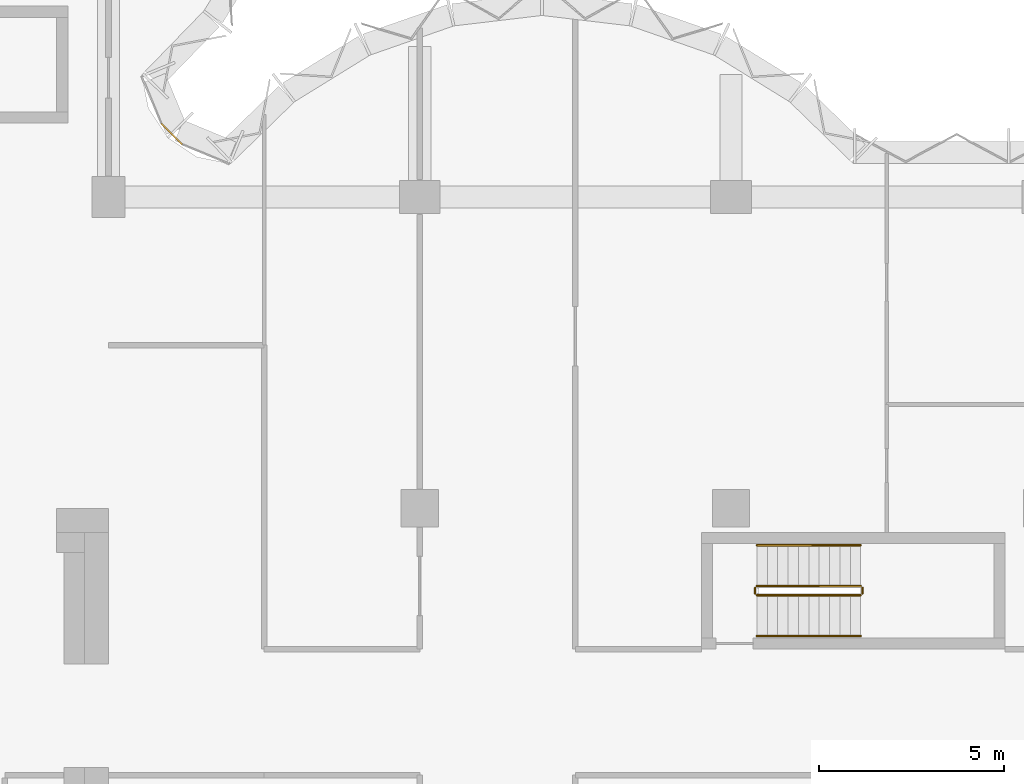
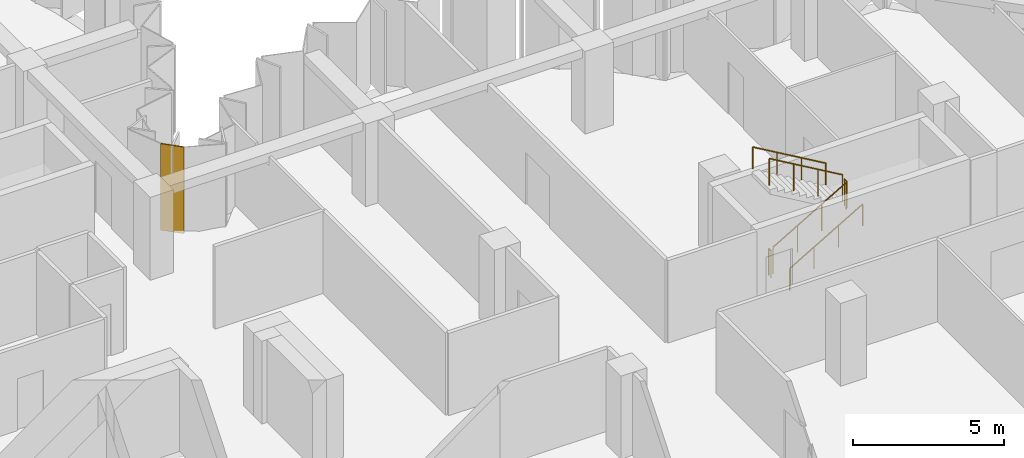
# One storey, part 10 of 10: 6 railings, 1 covering, 1 element without a shape of its own.
"""IFC4 building model written with IfcOpenShell, lengths in metres."""

from ifc_helpers import new_model, si_unit, direction, frame, origin, origin_2d, place, context, subcontext, project, spatial, polyline, circle, outline, extrude, material, layer, layer_set, type_object, element, aggregate, save


model = new_model("IFC4")

# Units and contexts
model_context = context("Model", 3, precision=1e-05, world=origin(), true_north=direction((0.0, 1.0)))
body_context = subcontext(model_context, "Body", "Model", "MODEL_VIEW")
ifc_project = project(units=[si_unit("LENGTHUNIT", "METRE"), si_unit("AREAUNIT", "SQUARE_METRE"), si_unit("VOLUMEUNIT", "CUBIC_METRE"), si_unit("PLANEANGLEUNIT", "RADIAN"), si_unit("MASSUNIT", "GRAM", prefix="KILO")], contexts=[model_context])

# Site, building, storey
site_placement = place(None, origin())
site = spatial("IfcSite", under=ifc_project, at=site_placement, CompositionType="ELEMENT")
building_placement = place(site_placement, origin())
building = spatial("IfcBuilding", under=site, at=building_placement, Name="Brevane Broadcast Tower", CompositionType="ELEMENT")
storey_placement = place(building_placement, frame((0.0, 0.0, 177.60009765625)))
storey = spatial("IfcBuildingStorey", under=building, at=storey_placement, Name="L44", CompositionType="ELEMENT", Elevation=177.60009765625)

# Railings
ifc_material_1 = material(Name="Steel S355", Category="steel")
railing_type_1 = type_object("IfcRailingType", Name="Exit stair guard", PredefinedType="GUARDRAIL", material=ifc_material_1)
railing_1_placement = place(storey_placement, frame((42.699951171875, 14.449951171875, 0.16357421875)))
element("IfcRailing", 1, at=railing_1_placement, inside=storey, type_object=railing_type_1, Name="L44 ST-4 stair guard 1", PredefinedType="GUARDRAIL", context=body_context, shape_type="SweptSolid", body=[
    extrude(circle(Radius=0.02392578125, at=origin_2d()), frame((0.0, 0.0, 1.076171875), z_axis=(0.863393664356, 0.0, 0.504530851732), x_axis=(0.0, 1.0, 0.0)), (0.0, 0.0, 1.0), 3.2431640625),
    extrude(circle(Radius=0.02099609375, at=origin_2d()), origin(), (0.0, 0.0, 1.0), 1.052001953125),
    extrude(circle(Radius=0.02099609375, at=origin_2d()), frame((0.933349609375, 0.0, 0.54541015625)), (0.0, 0.0, 1.0), 1.052001953125),
    extrude(circle(Radius=0.02099609375, at=origin_2d()), frame((1.86669921875, 0.0, 1.0908203125)), (0.0, 0.0, 1.0), 1.052001953125),
    extrude(circle(Radius=0.02099609375, at=origin_2d()), frame((2.800048828125, 0.0, 1.63623046875)), (0.0, 0.0, 1.0), 1.052001953125),
])
railing_2_placement = place(storey_placement, frame((45.550048828125, 14.5, 1.7998046875)))
element("IfcRailing", 2, at=railing_2_placement, inside=storey, type_object=railing_type_1, Name="L44 ST-4 stair guard 2", PredefinedType="GUARDRAIL", context=body_context, shape_type="SweptSolid", body=[
    extrude(circle(Radius=0.02392578125, at=origin_2d()), frame((0.0, 0.0, 1.076171875), z_axis=(0.0, 1.0, 0.0), x_axis=(-1.0, 0.0, 0.0)), (0.0, 0.0, 1.0), 0.14990234375),
    extrude(circle(Radius=0.02099609375, at=origin_2d()), origin(), (0.0, 0.0, 1.0), 1.052001953125),
    extrude(circle(Radius=0.02099609375, at=origin_2d()), frame((0.0, 0.14990234375, 0.0)), (0.0, 0.0, 1.0), 1.052001953125),
])
railing_3_placement = place(storey_placement, frame((45.5, 14.699951171875, 1.963623046875)))
element("IfcRailing", 3, at=railing_3_placement, inside=storey, type_object=railing_type_1, Name="L44 ST-4 stair guard 3", PredefinedType="GUARDRAIL", context=body_context, shape_type="SweptSolid", body=[
    extrude(circle(Radius=0.02392578125, at=origin_2d()), frame((0.0, 0.0, 1.076171875), z_axis=(-0.863393664356, 0.0, 0.504530851732), x_axis=(0.0, -1.0, 0.0)), (0.0, 0.0, 1.0), 3.2431640625),
    extrude(circle(Radius=0.02099609375, at=origin_2d()), origin(), (0.0, 0.0, 1.0), 1.052001953125),
    extrude(circle(Radius=0.02099609375, at=origin_2d()), frame((-0.933349609375, 0.0, 0.54541015625)), (0.0, 0.0, 1.0), 1.052001953125),
    extrude(circle(Radius=0.02099609375, at=origin_2d()), frame((-1.86669921875, 0.0, 1.0908203125)), (0.0, 0.0, 1.0), 1.052001953125),
    extrude(circle(Radius=0.02099609375, at=origin_2d()), frame((-2.800048828125, 0.0, 1.63623046875)), (0.0, 0.0, 1.0), 1.052001953125),
])
railing_4_placement = place(storey_placement, frame((42.64990234375, 14.5, 0.0)))
element("IfcRailing", 4, at=railing_4_placement, inside=storey, type_object=railing_type_1, Name="L44 ST-4 stair guard 4", PredefinedType="GUARDRAIL", context=body_context, shape_type="SweptSolid", body=[
    extrude(circle(Radius=0.02392578125, at=origin_2d()), frame((0.0, 0.0, 1.076171875), z_axis=(0.0, 1.0, 0.0), x_axis=(-1.0, 0.0, 0.0)), (0.0, 0.0, 1.0), 0.14990234375),
    extrude(circle(Radius=0.02099609375, at=origin_2d()), origin(), (0.0, 0.0, 1.0), 1.052001953125),
    extrude(circle(Radius=0.02099609375, at=origin_2d()), frame((0.0, 0.14990234375, 0.0)), (0.0, 0.0, 1.0), 1.052001953125),
])
railing_type_2 = type_object("IfcRailingType", Name="Exit stair handrail", PredefinedType="HANDRAIL", material=ifc_material_1)
railing_5_placement = place(storey_placement, frame((42.699951171875, 13.35009765625, 0.16357421875)))
element("IfcRailing", 5, at=railing_5_placement, inside=storey, type_object=railing_type_2, Name="L44 ST-4 stair handrail 1", PredefinedType="HANDRAIL", context=body_context, shape_type="SweptSolid", body=[
    extrude(circle(Radius=0.02392578125, at=origin_2d()), frame((0.0, 0.0, 0.8759765625), z_axis=(0.863393664356, 0.0, 0.504530851732), x_axis=(0.0, 1.0, 0.0)), (0.0, 0.0, 1.0), 3.2431640625),
    extrude(circle(Radius=0.02099609375, at=origin_2d()), origin(), (0.0, 0.0, 1.0), 0.851806640625),
    extrude(circle(Radius=0.02099609375, at=origin_2d()), frame((0.933349609375, 0.0, 0.54541015625)), (0.0, 0.0, 1.0), 0.851806640625),
    extrude(circle(Radius=0.02099609375, at=origin_2d()), frame((1.86669921875, 0.0, 1.0908203125)), (0.0, 0.0, 1.0), 0.851806640625),
    extrude(circle(Radius=0.02099609375, at=origin_2d()), frame((2.800048828125, 0.0, 1.63623046875)), (0.0, 0.0, 1.0), 0.851806640625),
])
railing_6_placement = place(storey_placement, frame((45.5, 15.800048828125, 1.963623046875)))
element("IfcRailing", 6, at=railing_6_placement, inside=storey, type_object=railing_type_2, Name="L44 ST-4 stair handrail 2", PredefinedType="HANDRAIL", context=body_context, shape_type="SweptSolid", body=[
    extrude(circle(Radius=0.02392578125, at=origin_2d()), frame((0.0, 0.0, 0.8759765625), z_axis=(-0.863393664356, 0.0, 0.504530851732), x_axis=(0.0, -1.0, 0.0)), (0.0, 0.0, 1.0), 3.2431640625),
    extrude(circle(Radius=0.02099609375, at=origin_2d()), origin(), (0.0, 0.0, 1.0), 0.851806640625),
    extrude(circle(Radius=0.02099609375, at=origin_2d()), frame((-0.933349609375, 0.0, 0.54541015625)), (0.0, 0.0, 1.0), 0.851806640625),
    extrude(circle(Radius=0.02099609375, at=origin_2d()), frame((-1.86669921875, 0.0, 1.0908203125)), (0.0, 0.0, 1.0), 0.851806640625),
    extrude(circle(Radius=0.02099609375, at=origin_2d()), frame((-2.800048828125, 0.0, 1.63623046875)), (0.0, 0.0, 1.0), 0.851806640625),
])

# Curtain wall, covering
ifc_material_2 = material(Name="Aluminium 6063-T6 bronze anodised", Category="aluminium")
curtain_wall_type = type_object("IfcCurtainWallType", Name="CW-1 curtain wall", PredefinedType="NOTDEFINED", material=ifc_material_2)
curtain_wall_placement = place(storey_placement, origin())
curtain_wall = element("IfcCurtainWall", 7, at=curtain_wall_placement, inside=storey, type_object=curtain_wall_type, Name="CW-1 typical tilted unit L44 inner corner", PredefinedType="NOTDEFINED")
ifc_material_3 = material(Name="Back-painted bronze glass shadow-box", Category="glass")
ifc_layer = layer(ifc_material_3, 0.0400390625)
ifc_layer_set = layer_set([ifc_layer], Name="Shadow-box panel 40")
covering_type = type_object("IfcCoveringType", Name="Shadow-box panel 40", PredefinedType="CLADDING", material=ifc_layer_set)
covering_placement = place(storey_placement, frame((0.0, 0.0, -0.150146484375)))
covering = element("IfcCovering", 8, at=covering_placement, type_object=covering_type, Name="Closure panel", PredefinedType="CLADDING", context=body_context, shape_type="SweptSolid", body=[
    extrude(outline(polyline([(27.17138671875, 26.60498046875), (27.2021484375, 26.635498046875), (26.635498046875, 27.2021484375), (26.60498046875, 27.17138671875), (27.17138671875, 26.60498046875)])), origin(), (0.0, 0.0, 1.0), 3.5),
])
aggregate(curtain_wall, [covering])

save(model, "model.ifc")
